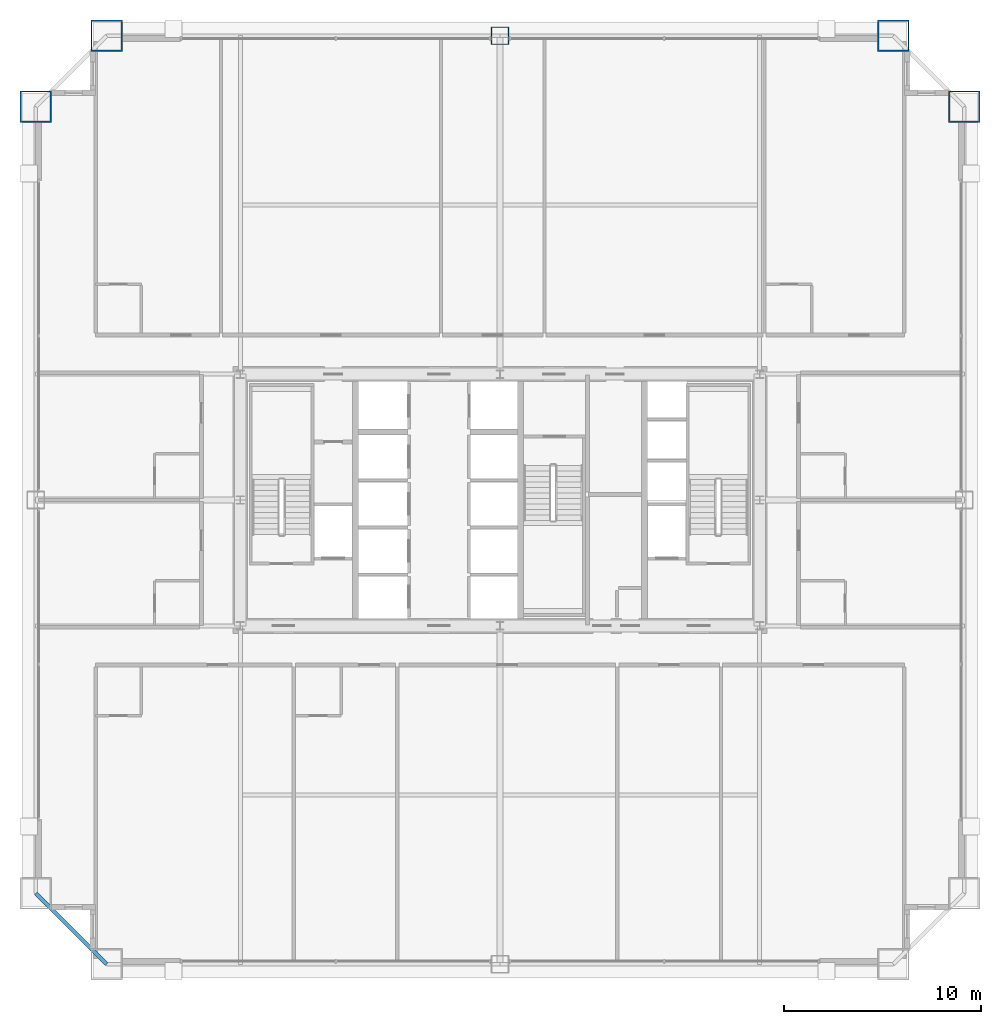
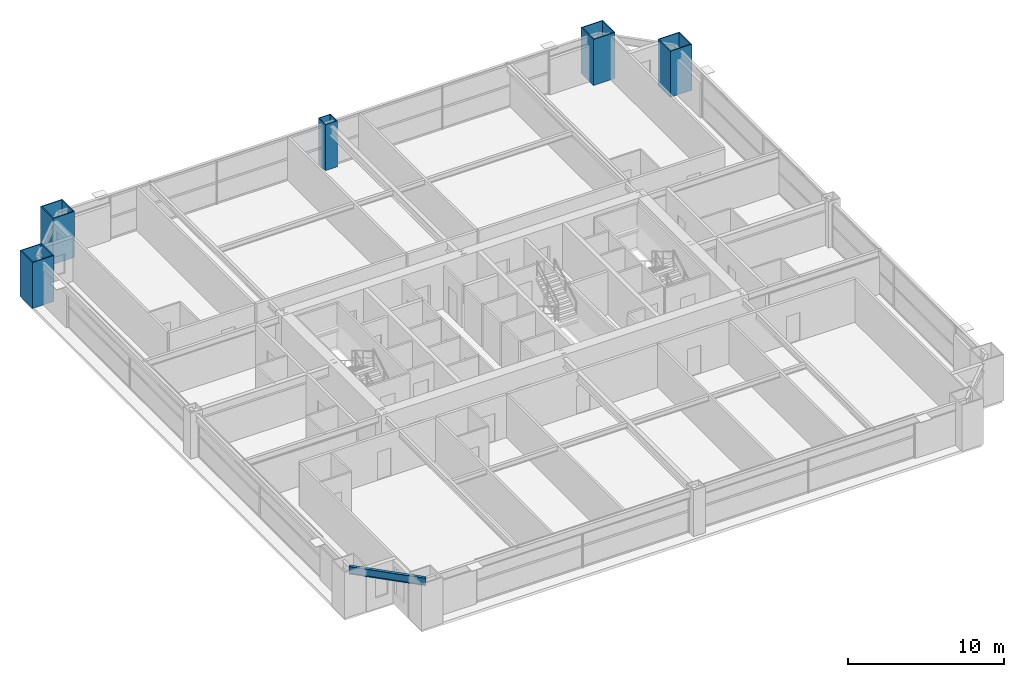
# One storey, part 3 of 39: 5 columns, 1 beam.
"""IFC4 building model written with IfcOpenShell, lengths in metres."""

import ifcopenshell
import ifcopenshell.guid

model = None  # the IFC model being written
_history = None  # IfcOwnerHistory: only IFC2X3 demands one
_inside = {}  # id of a spatial element -> (the spatial element, [elements in it])
_under = {}  # id of a project, library or spatial element -> (it, [spatial elements below it])
_declared = {}  # id of a project -> (the project, [libraries it declares])
_typed = {}  # id of a type object -> (the type object, [elements of that type])
_made_of = {}  # id of a material, layer set ... -> (it, [elements and type objects made of it])


def new_model(schema):
    """Start an empty IFC model of exactly this schema.

    Asked for "IFC4X3", IfcOpenShell would pick the latest addendum, in which some entities
    have other attributes; the version numbers below select the first issue.
    IFC2X3 requires an IfcOwnerHistory on every rooted entity: one is made here for all.
    """
    global model, _history
    if schema == "IFC4X3":
        model = ifcopenshell.file(schema_version=(4, 3, 0, 0))
    else:
        model = ifcopenshell.file(schema=schema)
    _inside.clear()
    _under.clear()
    _declared.clear()
    _typed.clear()
    _made_of.clear()
    _history = None
    if model.schema == "IFC2X3":
        org = make("IfcOrganization", Name="unknown")
        user = make(
            "IfcPersonAndOrganization",
            ThePerson=make("IfcPerson", FamilyName="unknown"),
            TheOrganization=org,
        )
        app = make(
            "IfcApplication",
            ApplicationDeveloper=org,
            Version="unknown",
            ApplicationFullName="unknown",
            ApplicationIdentifier="unknown",
        )
        _history = make(
            "IfcOwnerHistory",
            OwningUser=user,
            OwningApplication=app,
            ChangeAction="ADDED",
            CreationDate=0,
        )
    return model


def make(cls, **values):
    """One entity of the class cls with the attributes given. An attribute that is None is left unset."""
    return model.create_entity(
        cls, **{name: value for name, value in values.items() if value is not None}
    )


def rooted(cls, **values):
    """An entity with a GlobalId (a new one), such as an element, a storey or a relation."""
    return make(cls, GlobalId=ifcopenshell.guid.new(), OwnerHistory=_history, **values)


def si_unit(unit_type, name, prefix=None):
    """IfcSIUnit, for example si_unit("LENGTHUNIT", "METRE", prefix="MILLI")."""
    return make("IfcSIUnit", UnitType=unit_type, Prefix=prefix, Name=name)


def assignment(units):
    """IfcUnitAssignment: the units of a project."""
    return None if units is None else make("IfcUnitAssignment", Units=units)


def point(xyz):
    """IfcCartesianPoint."""
    return None if xyz is None else make("IfcCartesianPoint", Coordinates=xyz)


def direction(xyz):
    """IfcDirection."""
    return None if xyz is None else make("IfcDirection", DirectionRatios=xyz)


def frame(location, z_axis=None, x_axis=None):
    """IfcAxis2Placement3D, a coordinate frame: its origin and axes. An axis left out is left unset."""
    return make(
        "IfcAxis2Placement3D",
        Location=point(location),
        Axis=direction(z_axis),
        RefDirection=direction(x_axis),
    )


def frame_2d(location, x_axis=None):
    """IfcAxis2Placement2D, a coordinate frame in the plane: its origin and x axis."""
    return make(
        "IfcAxis2Placement2D", Location=point(location), RefDirection=direction(x_axis)
    )


def origin():
    """The frame at (0, 0, 0) with its axes left unset."""
    return frame((0.0, 0.0, 0.0))


def origin_2d():
    """The frame at (0, 0) in the plane with its x axis left unset."""
    return frame_2d((0.0, 0.0))


def place(relative_to, where):
    """IfcLocalPlacement: puts the frame where relative to a parent placement (None: the world)."""
    return make(
        "IfcLocalPlacement", PlacementRelTo=relative_to, RelativePlacement=where
    )


def context(
    kind, dimensions, precision=None, world=None, true_north=None, identifier=None
):
    """IfcGeometricRepresentationContext, for example the 3D "Model" context."""
    return make(
        "IfcGeometricRepresentationContext",
        ContextIdentifier=identifier,
        ContextType=kind,
        CoordinateSpaceDimension=dimensions,
        Precision=precision,
        WorldCoordinateSystem=world,
        TrueNorth=true_north,
    )


def subcontext(parent, identifier, kind, view, scale=None):
    """IfcGeometricRepresentationSubContext, for example "Body" below "Model"."""
    return make(
        "IfcGeometricRepresentationSubContext",
        ContextIdentifier=identifier,
        ContextType=kind,
        ParentContext=parent,
        TargetScale=scale,
        TargetView=view,
    )


def project(units=None, contexts=None):
    """IfcProject with its units and contexts."""
    return rooted(
        "IfcProject",
        Name="project",
        RepresentationContexts=contexts,
        UnitsInContext=assignment(units),
    )


def spatial(cls, under=None, at=None, **own):
    """A site, building, storey or space (cls), placed at a placement, below another one or the project."""
    s = rooted(cls, ObjectPlacement=at, **own)
    if under is not None:
        _under.setdefault(under.id(), (under, []))[1].append(s)
    return s


def profile(cls, at=None, kind="AREA", **sizes):
    """A parametric profile (cls). Its sizes go by their IFC names, for example OverallWidth=200.0."""
    return make(cls, ProfileType=kind, Position=at, **sizes)


def hollow_rectangle(**sizes):
    """IfcRectangleHollowProfileDef."""
    return profile("IfcRectangleHollowProfileDef", **sizes)


def i_section(**sizes):
    """IfcIShapeProfileDef."""
    return profile("IfcIShapeProfileDef", **sizes)


def extrude(swept, where, along, depth):
    """IfcExtrudedAreaSolid: the profile swept, set in the frame where, extruded along a direction by depth."""
    return make(
        "IfcExtrudedAreaSolid",
        SweptArea=swept,
        Position=where,
        ExtrudedDirection=direction(along),
        Depth=depth,
    )


def shape(context_of_items, identifier, shape_type, items):
    """IfcShapeRepresentation: the items that make up one representation, for example the "Body"."""
    return make(
        "IfcShapeRepresentation",
        ContextOfItems=context_of_items,
        RepresentationIdentifier=identifier,
        RepresentationType=shape_type,
        Items=items,
    )


def source(mapping_origin, context_of_items, identifier, shape_type, items):
    """IfcRepresentationMap: a shape defined once, which mapped items show again and again."""
    return make(
        "IfcRepresentationMap",
        MappingOrigin=mapping_origin,
        MappedRepresentation=shape(context_of_items, identifier, shape_type, items),
    )


def transform(
    local_origin,
    x_axis=None,
    y_axis=None,
    z_axis=None,
    scale=None,
    scale2=None,
    scale3=None,
    uniform=True,
):
    """IfcCartesianTransformationOperator3D, or its non-uniform kind. x_axis, y_axis, z_axis: its Axis1, 2, 3."""
    if uniform:
        return make(
            "IfcCartesianTransformationOperator3D",
            Axis1=direction(x_axis),
            Axis2=direction(y_axis),
            LocalOrigin=point(local_origin),
            Scale=scale,
            Axis3=direction(z_axis),
        )
    return make(
        "IfcCartesianTransformationOperator3DnonUniform",
        Axis1=direction(x_axis),
        Axis2=direction(y_axis),
        LocalOrigin=point(local_origin),
        Scale=scale,
        Axis3=direction(z_axis),
        Scale2=scale2,
        Scale3=scale3,
    )


def mapped(mapping_source, mapping_target):
    """IfcMappedItem: shows the shape of a source again, moved by a transform."""
    return make(
        "IfcMappedItem", MappingSource=mapping_source, MappingTarget=mapping_target
    )


def material(Name=None, Category=None):
    """IfcMaterial."""
    return make("IfcMaterial", Name=Name, Category=Category)


def material_profile(
    of_material, cross_section, Name=None, Category=None, Priority=None
):
    """IfcMaterialProfile: a cross section and its material."""
    return make(
        "IfcMaterialProfile",
        Name=Name,
        Material=of_material,
        Profile=cross_section,
        Priority=Priority,
        Category=Category,
    )


def profile_set(profiles, Name=None, composite=None):
    """IfcMaterialProfileSet."""
    return make(
        "IfcMaterialProfileSet",
        Name=Name,
        MaterialProfiles=profiles,
        CompositeProfile=composite,
    )


def made_of(thing, what):
    """Note that an element or type object is made of a material, layer set ...; save() writes the relation."""
    if what is not None:
        _made_of.setdefault(what.id(), (what, []))[1].append(thing)
    return thing


def type_object(cls, material=None, **own):
    """A type object (cls), such as IfcWallType, which elements share."""
    return made_of(rooted(cls, **own), material)


def element(
    cls,
    number,
    at=None,
    inside=None,
    cuts=None,
    type_object=None,
    material=None,
    context=None,
    identifier="Body",
    shape_type=None,
    held_by="IfcProductDefinitionShape",
    body=None,
    shapes=None,
    **own,
):
    """One element of the class cls, such as IfcWall. Its Tag is "e" and its number.

    at: its placement. inside: the storey or other place that contains it. cuts: it is an
    opening in that element (IfcRelVoidsElement). A single representation is given by context,
    identifier, shape_type and body (its items); several are given by shapes. held_by: the class
    of the entity that holds the representations. save() writes the other relations.
    """
    e = rooted(cls, Tag="e%d" % number, ObjectPlacement=at, **own)
    if body is not None:
        shapes = [shape(context, identifier, shape_type, body)]
    if shapes is not None:
        e.Representation = make(held_by, Representations=shapes)
    if inside is not None:
        _inside.setdefault(inside.id(), (inside, []))[1].append(e)
    if cuts is not None:
        rooted(
            "IfcRelVoidsElement", RelatingBuildingElement=cuts, RelatedOpeningElement=e
        )
    if type_object is not None:
        _typed.setdefault(type_object.id(), (type_object, []))[1].append(e)
    return made_of(e, material)


def aggregate(whole, parts):
    """IfcRelAggregates: a whole, such as a stair, and the parts it consists of."""
    return rooted("IfcRelAggregates", RelatingObject=whole, RelatedObjects=parts)


def save(model, path):
    """Write the relations noted so far, then the file.

    IfcRelAggregates (storeys below a building ...), IfcRelContainedInSpatialStructure (elements
    in a storey), IfcRelDefinesByType, IfcRelAssociatesMaterial and IfcRelDeclares: one each for
    every whole, place, type object, material and project.
    """
    for whole, parts in _under.values():
        aggregate(whole, parts)
    for where, things in _inside.values():
        rooted(
            "IfcRelContainedInSpatialStructure",
            RelatedElements=things,
            RelatingStructure=where,
        )
    for kind, things in _typed.values():
        rooted("IfcRelDefinesByType", RelatedObjects=things, RelatingType=kind)
    for what, things in _made_of.values():
        rooted("IfcRelAssociatesMaterial", RelatedObjects=things, RelatingMaterial=what)
    for by, libraries in _declared.values():
        rooted("IfcRelDeclares", RelatingContext=by, RelatedDefinitions=libraries)
    model.write(path)


model = new_model("IFC4")

# Units and contexts
model_context = context("Model", 3, precision=1e-05, world=origin(), true_north=direction((0.0, 1.0)))
body_context = subcontext(model_context, "Body", "Model", "MODEL_VIEW")
ifc_project = project(units=[si_unit("LENGTHUNIT", "METRE"), si_unit("AREAUNIT", "SQUARE_METRE"), si_unit("VOLUMEUNIT", "CUBIC_METRE"), si_unit("PLANEANGLEUNIT", "RADIAN"), si_unit("MASSUNIT", "GRAM", prefix="KILO"), si_unit("THERMODYNAMICTEMPERATUREUNIT", "KELVIN"), si_unit("POWERUNIT", "WATT")], contexts=[model_context])

# Site, building, storey
site_placement = place(None, origin())
site = spatial("IfcSite", under=ifc_project, at=site_placement, CompositionType="ELEMENT")
building_placement = place(site_placement, origin())
building = spatial("IfcBuilding", under=site, at=building_placement, Name="Yuzanri Waterfront Tower", CompositionType="ELEMENT")
storey_placement = place(building_placement, frame((0.0, 0.0, 134.39990234375)))
storey = spatial("IfcBuildingStorey", under=building, at=storey_placement, Name="L35", CompositionType="ELEMENT", Elevation=134.39990234375)

# Columns
ifc_material_1 = material(Name="Steel Q390GJC", Category="steel")
ifc_material_profile_1 = material_profile(ifc_material_1, hollow_rectangle(XDim=0.89990234375, YDim=0.89990234375, WallThickness=0.0419921875, at=origin_2d()), Name="RHS 900x900x42")
ifc_profile_set_1 = profile_set([ifc_material_profile_1], Name="Steel Q390GJC")
column_type_1 = type_object("IfcColumnType", Name="Frame Column Q390GJC RHS 900x900x42", PredefinedType="COLUMN", material=ifc_profile_set_1)
shared_shape_1 = source(origin(), body_context, "Body", "SweptSolid", [
    extrude(hollow_rectangle(XDim=0.89990234375, YDim=0.89990234375, WallThickness=0.0419921875, at=origin_2d()), origin(), (0.0, 0.0, 1.0), 3.60009765625),
])
column_placement = place(storey_placement, frame((37.0, 49.39990234375, 0.0), z_axis=(0.0, 0.0, 1.0), x_axis=(1.0, 0.0, 0.0)))
element("IfcColumn", 1, at=column_placement, inside=storey, type_object=column_type_1, Name="L35 Perimeter Frame Column N2", PredefinedType="COLUMN", context=body_context, shape_type="MappedRepresentation", body=[
    mapped(shared_shape_1, transform((0.0, 0.0, 0.0), scale=1.0)),
])
ifc_material_2 = material(Name="Steel Q420GJC", Category="steel")
ifc_material_profile_2 = material_profile(ifc_material_2, hollow_rectangle(XDim=1.60009765625, YDim=1.60009765625, WallThickness=0.070068359375, at=origin_2d()), Name="RHS 1600x1600x70")
ifc_profile_set_2 = profile_set([ifc_material_profile_2], Name="Steel Q420GJC")
column_type_2 = type_object("IfcColumnType", Name="Mega Column Q420GJC RHS 1600x1600x70", PredefinedType="COLUMN", material=ifc_profile_set_2)
shared_shape_2 = source(origin(), body_context, "Body", "SweptSolid", [
    extrude(hollow_rectangle(XDim=1.60009765625, YDim=1.60009765625, WallThickness=0.070068359375, at=origin_2d()), origin(), (0.0, 0.0, 1.0), 3.60009765625),
])
for number, where, z_axis, x_axis, name in (
    (2, (17.0, 49.39990234375, 0.0), (0.0, 0.0, 1.0), (1.0, 0.0, 0.0), "L35 Perimeter Mega Column N1"),
    (3, (57.0, 49.39990234375, 0.0), (0.0, 0.0, 1.0), (1.0, 0.0, 0.0), "L35 Perimeter Mega Column N3"),
    (4, (13.39990234375, 45.800048828125, 0.0), (0.0, 0.0, 1.0), (1.0, 0.0, 0.0), "L35 Perimeter Mega Column W3"),
    (5, (60.60009765625, 45.800048828125, 0.0), (0.0, 0.0, 1.0), (1.0, 0.0, 0.0), "L35 Perimeter Mega Column E3"),
):
    element("IfcColumn", number, at=place(storey_placement, frame(where, z_axis=z_axis, x_axis=x_axis)), inside=storey, type_object=column_type_2, Name=name, PredefinedType="COLUMN", context=body_context, shape_type="MappedRepresentation", body=[
        mapped(shared_shape_2, transform((0.0, 0.0, 0.0), scale=1.0)),
    ])

# Beam
ifc_material_3 = material(Name="Steel Q355B", Category="steel")
ifc_material_profile_3 = material_profile(ifc_material_3, i_section(OverallWidth=0.199951171875, OverallDepth=0.60009765625, WebThickness=0.010986328125, FlangeThickness=0.01708984375, at=origin_2d()), Name="HN 600x200x11x17")
ifc_profile_set_3 = profile_set([ifc_material_profile_3], Name="Steel Q355B")
beam_type = type_object("IfcBeamType", Name="Perimeter Spandrel Q355B HN 600x200", PredefinedType="SPANDREL", material=ifc_profile_set_3)
shared_shape_3 = source(origin(), body_context, "Body", "SweptSolid", [
    extrude(i_section(OverallWidth=0.199951171875, OverallDepth=0.60009765625, WebThickness=0.010986328125, FlangeThickness=0.01708984375, at=origin_2d()), origin(), (0.0, 0.0, 1.0), 5.09130859375),
])
beam_placement = place(storey_placement, frame((13.39990234375, 5.800048828125, 3.080078125), z_axis=(0.707106781187, -0.707106781187, 0.0), x_axis=(0.707106781187, 0.707106781187, 0.0)))
element("IfcBeam", 6, at=beam_placement, inside=storey, type_object=beam_type, Name="L35 Perimeter Spandrel W1-S1", PredefinedType="SPANDREL", context=body_context, shape_type="MappedRepresentation", body=[
    mapped(shared_shape_3, transform((0.0, 0.0, 0.0), scale=1.0)),
])

save(model, "model.ifc")
